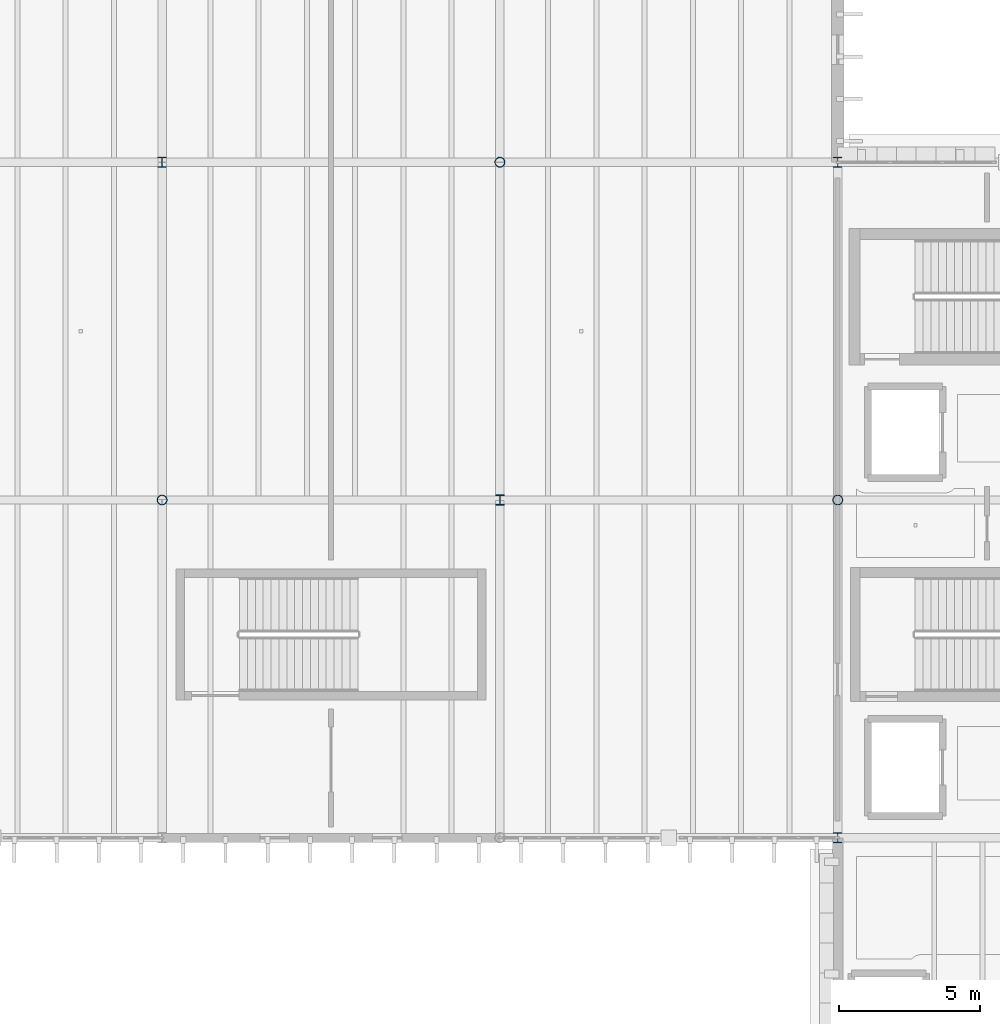
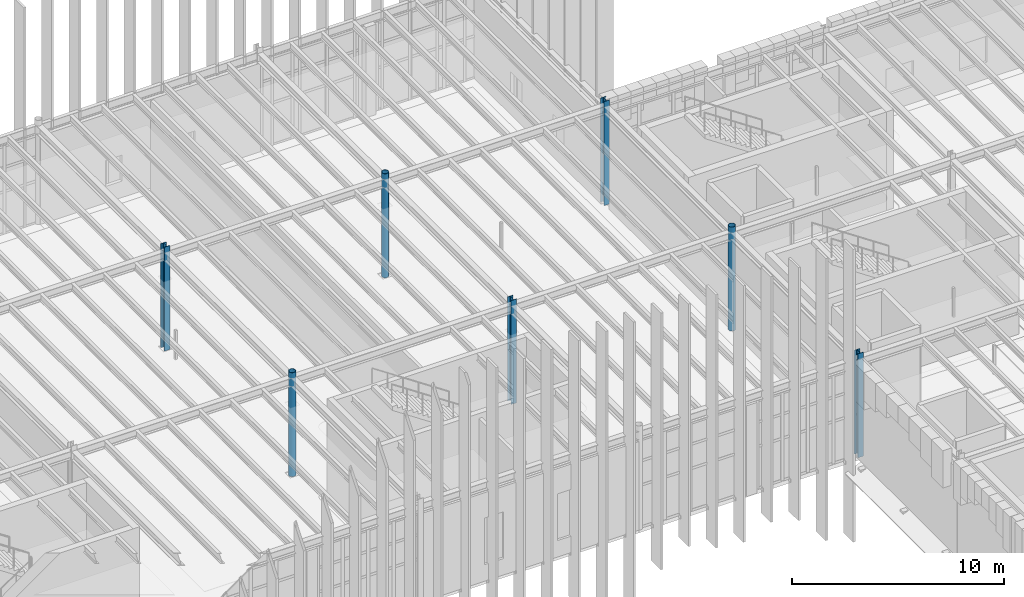
# One storey, part 8 of 83: 7 columns.
"""IFC4 building model written with IfcOpenShell, lengths in metres."""

from ifc_helpers import new_model, si_unit, direction, frame, origin, origin_2d, place, context, subcontext, project, spatial, hollow_circle, i_section, extrude, material, material_profile, profile_set, type_object, element, save


model = new_model("IFC4")

# Units and contexts
model_context = context("Model", 3, precision=1e-05, world=origin(), true_north=direction((0.0, 1.0)))
body_context = subcontext(model_context, "Body", "Model", "MODEL_VIEW")
ifc_project = project(units=[si_unit("LENGTHUNIT", "METRE"), si_unit("AREAUNIT", "SQUARE_METRE"), si_unit("VOLUMEUNIT", "CUBIC_METRE"), si_unit("PLANEANGLEUNIT", "RADIAN"), si_unit("MASSUNIT", "GRAM", prefix="KILO")], contexts=[model_context])

# Site, building, storey
site_placement = place(None, origin())
site = spatial("IfcSite", under=ifc_project, at=site_placement, CompositionType="ELEMENT")
building_placement = place(site_placement, origin())
building = spatial("IfcBuilding", under=site, at=building_placement, Name="Zlatogorsky Bluff Art Gallery", CompositionType="ELEMENT")
storey_placement = place(building_placement, frame((0.0, 0.0, 10.800048828125)))
storey = spatial("IfcBuildingStorey", under=building, at=storey_placement, Name="L02", CompositionType="ELEMENT", Elevation=10.800048828125)

# Columns
ifc_material = material(Name="Steel S355", Category="steel")
ifc_material_profile_1 = material_profile(ifc_material, i_section(OverallWidth=0.300048828125, OverallDepth=0.360107421875, WebThickness=0.012451171875, FlangeThickness=0.0224609375, FilletRadius=0.027099609375, at=origin_2d()), Name="HEB 360")
ifc_profile_set_1 = profile_set([ifc_material_profile_1], Name="Steel S355")
column_type_1 = type_object("IfcColumnType", Name="Column CL-05 HEB 360", PredefinedType="COLUMN", material=ifc_profile_set_1)
for number, where, z_axis, x_axis, name in (
    (1, (96.0, 108.0, 0.0), (0.0, 0.0, 1.0), (1.0, 0.0, 0.0), "Column CL-05 L02 J11"),
    (2, (108.0, 96.0, 0.0), (0.0, 0.0, 1.0), (1.0, 0.0, 0.0), "Column CL-05 L02 K10"),
    (3, (120.0, 84.0, 0.0), (0.0, 0.0, 1.0), (1.0, 0.0, 0.0), "Column CL-05 L02 L9"),
    (4, (120.0, 108.0, 0.0), (0.0, 0.0, 1.0), (1.0, 0.0, 0.0), "Column CL-05 L02 L11"),
):
    element("IfcColumn", number, at=place(storey_placement, frame(where, z_axis=z_axis, x_axis=x_axis)), inside=storey, type_object=column_type_1, Name=name, PredefinedType="COLUMN", context=body_context, shape_type="SweptSolid", body=[
        extrude(i_section(OverallWidth=0.300048828125, OverallDepth=0.360107421875, WebThickness=0.012451171875, FlangeThickness=0.0224609375, FilletRadius=0.027099609375, at=origin_2d()), origin(), (0.0, 0.0, 1.0), 6.0),
    ])
ifc_material_profile_2 = material_profile(ifc_material, hollow_circle(Radius=0.177734375, WallThickness=0.01611328125, at=origin_2d()), Name="CHS 355.6x16")
ifc_profile_set_2 = profile_set([ifc_material_profile_2], Name="Steel S355")
column_type_2 = type_object("IfcColumnType", Name="Column CL-10 CHS 355.6x16", PredefinedType="COLUMN", material=ifc_profile_set_2)
for number, where, z_axis, x_axis, name in (
    (5, (96.0, 96.0, 0.0), (0.0, 0.0, 1.0), (1.0, 0.0, 0.0), "Column CL-10 L02 J10"),
    (6, (108.0, 108.0, 0.0), (0.0, 0.0, 1.0), (1.0, 0.0, 0.0), "Column CL-10 L02 K11"),
    (7, (120.0, 96.0, 0.0), (0.0, 0.0, 1.0), (1.0, 0.0, 0.0), "Column CL-10 L02 L10"),
):
    element("IfcColumn", number, at=place(storey_placement, frame(where, z_axis=z_axis, x_axis=x_axis)), inside=storey, type_object=column_type_2, Name=name, PredefinedType="COLUMN", context=body_context, shape_type="SweptSolid", body=[
        extrude(hollow_circle(Radius=0.177734375, WallThickness=0.01611328125, at=origin_2d()), origin(), (0.0, 0.0, 1.0), 6.0),
    ])

save(model, "model.ifc")
